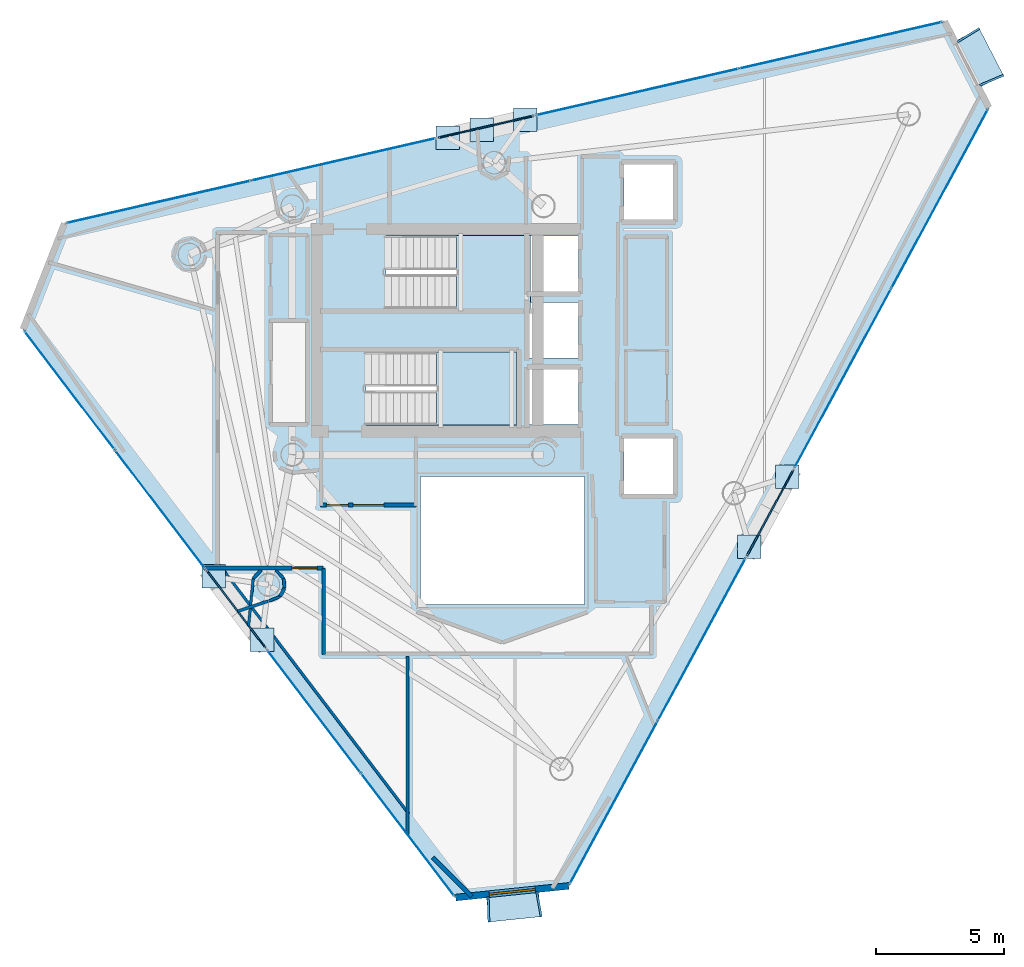
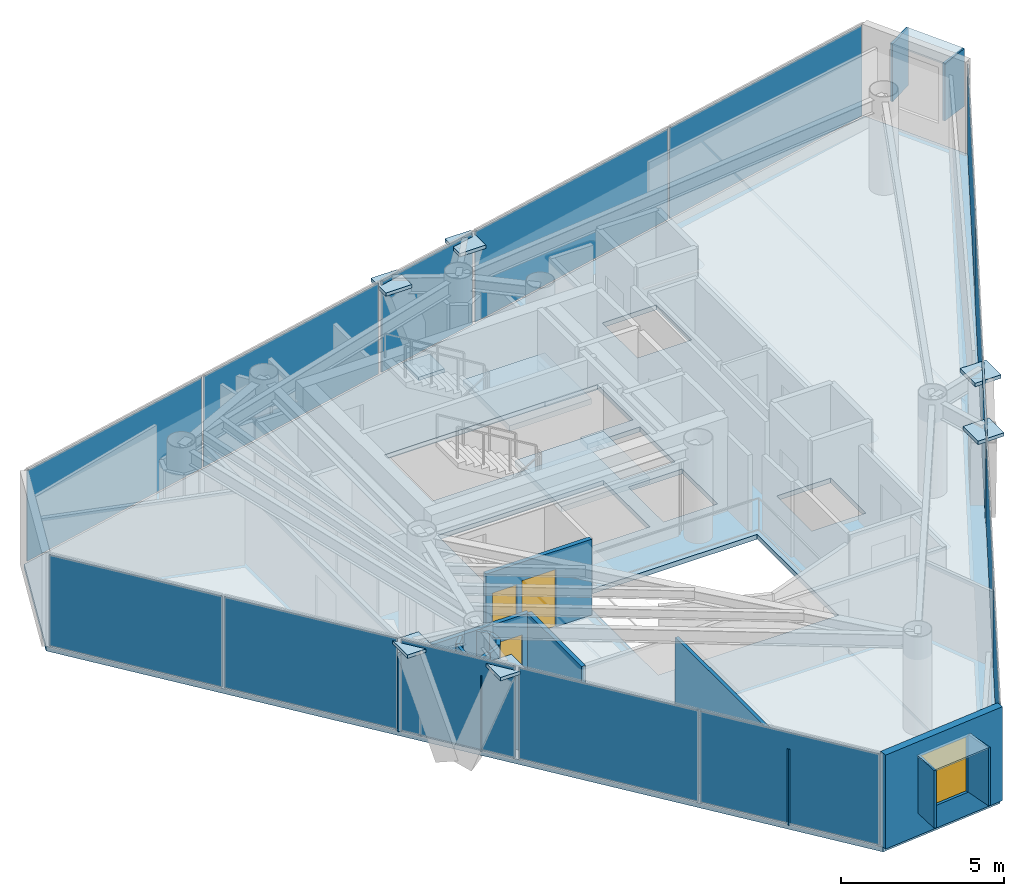
# One storey, part 18 of 24: 28 plates, 14 walls, 3 doors, 3 slabs, 1 window, 4 openings, 11 elements without a shape of their own.
"""IFC4 building model written with IfcOpenShell, lengths in metres."""

from ifc_helpers import new_model, si_unit, direction, frame, frame_2d, origin, origin_2d, place, context, subcontext, project, spatial, polyline, rectangle, outline, extrude, material, layer, layer_set, type_object, element, fill, aggregate, save


model = new_model("IFC4")

# Units and contexts
model_context = context("Model", 3, precision=1e-05, world=origin(), true_north=direction((0.0, 1.0)))
body_context = subcontext(model_context, "Body", "Model", "MODEL_VIEW")
ifc_project = project(units=[si_unit("LENGTHUNIT", "METRE"), si_unit("AREAUNIT", "SQUARE_METRE"), si_unit("VOLUMEUNIT", "CUBIC_METRE"), si_unit("PLANEANGLEUNIT", "RADIAN"), si_unit("MASSUNIT", "GRAM", prefix="KILO")], contexts=[model_context])

# Site, building, storey
site_placement = place(None, origin())
site = spatial("IfcSite", under=ifc_project, at=site_placement, CompositionType="ELEMENT")
building_placement = place(site_placement, origin())
building = spatial("IfcBuilding", under=site, at=building_placement, Name="Qianvela Tower", CompositionType="ELEMENT")
storey_placement = place(building_placement, frame((0.0, 0.0, 306.5)))
storey = spatial("IfcBuildingStorey", under=building, at=storey_placement, Name="L79", CompositionType="ELEMENT", Elevation=306.5)

# Curtain wall, plate
ifc_material_1 = material(Name="Anodised Architectural Aluminium and Insulated Spandrel Panel", Category="aluminium")
ifc_layer_1 = layer(ifc_material_1, 0.179931640625)
ifc_layer_set_1 = layer_set([ifc_layer_1], Name="Anodised Architectural Aluminium and Insulated Spandrel Panel")
curtain_wall_type_1 = type_object("IfcCurtainWallType", Name="CW-BRACEBAY", PredefinedType="USERDEFINED", material=ifc_layer_set_1)
curtain_wall_1_placement = place(storey_placement, origin())
curtain_wall_1 = element("IfcCurtainWall", 1, at=curtain_wall_1_placement, inside=storey, type_object=curtain_wall_type_1, Name="L79 CW-BRACEBAY Curtain Wall 02B", ObjectType="CURTAIN_WALL_SYSTEM", PredefinedType="USERDEFINED")
ifc_material_2 = material(Name="Insulated Aluminium Spandrel Panel with Mineral-Wool Backpan", Category="aluminium")
ifc_layer_2 = layer(ifc_material_2, 0.06005859375)
ifc_layer_set_2 = layer_set([ifc_layer_2], Name="Insulated Aluminium Spandrel Panel with Mineral-Wool Backpan")
plate_type_1 = type_object("IfcPlateType", Name="CW-BRACEBAY-PNL", PredefinedType="CURTAIN_PANEL", material=ifc_layer_set_2)
plate_1_placement = place(storey_placement, frame((36.150390625, 36.64208984375, 0.06494140625), z_axis=(0.0, 0.0, 1.0), x_axis=(-0.974654696361, -0.223714601358, 0.0)))
plate_1 = element("IfcPlate", 2, at=plate_1_placement, type_object=plate_type_1, Name="CW-9 panel 1.1", PredefinedType="CURTAIN_PANEL", context=body_context, shape_type="SweptSolid", body=[
    extrude(rectangle(XDim=3.800048828125, YDim=0.06005859375, at=origin_2d()), origin(), (0.0, 0.0, 1.0), 3.389892578125),
])
aggregate(curtain_wall_1, [plate_1])

curtain_wall_2_placement = place(storey_placement, origin())
curtain_wall_2 = element("IfcCurtainWall", 3, at=curtain_wall_2_placement, inside=storey, type_object=curtain_wall_type_1, Name="L79 CW-BRACEBAY Curtain Wall 04B", ObjectType="CURTAIN_WALL_SYSTEM", PredefinedType="USERDEFINED")
plate_2_placement = place(storey_placement, frame((26.410888671875, 17.820068359375, 0.06494140625), z_axis=(0.0, 0.0, 1.0), x_axis=(0.605708899745, -0.795686325614, 0.0)))
plate_2 = element("IfcPlate", 4, at=plate_2_placement, type_object=plate_type_1, Name="CW-9 panel 1.1", PredefinedType="CURTAIN_PANEL", context=body_context, shape_type="SweptSolid", body=[
    extrude(rectangle(XDim=3.800048828125, YDim=0.06005859375, at=origin_2d()), origin(), (0.0, 0.0, 1.0), 3.389892578125),
])
aggregate(curtain_wall_2, [plate_2])

curtain_wall_3_placement = place(storey_placement, origin())
curtain_wall_3 = element("IfcCurtainWall", 5, at=curtain_wall_3_placement, inside=storey, type_object=curtain_wall_type_1, Name="L79 CW-BRACEBAY Curtain Wall 06B", ObjectType="CURTAIN_WALL_SYSTEM", PredefinedType="USERDEFINED")
plate_3_placement = place(storey_placement, frame((47.245361328125, 21.58154296875, 0.06494140625), z_axis=(0.0, 0.0, 1.0), x_axis=(0.475144974563, 0.879907525338, 0.0)))
plate_3 = element("IfcPlate", 6, at=plate_3_placement, type_object=plate_type_1, Name="CW-9 panel 1.1", PredefinedType="CURTAIN_PANEL", context=body_context, shape_type="SweptSolid", body=[
    extrude(rectangle(XDim=3.800048828125, YDim=0.06005859375, at=origin_2d()), origin(), (0.0, 0.0, 1.0), 3.389892578125),
])
aggregate(curtain_wall_3, [plate_3])

# Curtain wall, plates
ifc_material_3 = material(Name="Anodised Architectural Aluminium and Low-E Glass", Category="aluminium")
ifc_layer_3 = layer(ifc_material_3, 0.14990234375)
ifc_layer_set_3 = layer_set([ifc_layer_3], Name="Anodised Architectural Aluminium and Low-E Glass")
curtain_wall_type_2 = type_object("IfcCurtainWallType", Name="CW-COLIV-Z78", PredefinedType="USERDEFINED", material=ifc_layer_set_3)
curtain_wall_4_placement = place(storey_placement, origin())
curtain_wall_4 = element("IfcCurtainWall", 7, at=curtain_wall_4_placement, inside=storey, type_object=curtain_wall_type_2, Name="L79 CW-COLIV-Z78 Curtain Wall 02A", ObjectType="CURTAIN_WALL_SYSTEM", PredefinedType="USERDEFINED")
ifc_material_4 = material(Name="Double-Silver Low-E Insulated Glass", Category="glass")
ifc_layer_4 = layer(ifc_material_4, 0.02587890625)
ifc_layer_set_4 = layer_set([ifc_layer_4], Name="Double-Silver Low-E Insulated Glass")
plate_type_2 = type_object("IfcPlateType", Name="CW-COLIV-Z78-PNL", PredefinedType="CURTAIN_PANEL", material=ifc_layer_set_4)
plate_4_placement = place(storey_placement, frame((50.002685546875, 39.821533203125, 0.06005859375), z_axis=(0.0, 0.0, 1.0), x_axis=(-0.974656772759, -0.22370555495, 0.0)))
plate_4 = element("IfcPlate", 8, at=plate_4_placement, type_object=plate_type_2, Name="CW-6 panel 1.1", PredefinedType="CURTAIN_PANEL", context=body_context, shape_type="SweptSolid", body=[
    extrude(rectangle(XDim=8.0849609375, YDim=0.02587890625, at=origin_2d()), origin(), (0.0, 0.0, 1.0), 3.39990234375),
])
plate_5_placement = place(storey_placement, frame((42.06396484375, 37.99951171875, 0.06005859375), z_axis=(0.0, 0.0, 1.0), x_axis=(-0.974656772759, -0.22370555495, 0.0)))
plate_5 = element("IfcPlate", 9, at=plate_5_placement, type_object=plate_type_2, Name="CW-6 panel 2.1", PredefinedType="CURTAIN_PANEL", context=body_context, shape_type="SweptSolid", body=[
    extrude(rectangle(XDim=8.0849609375, YDim=0.02587890625, at=origin_2d()), origin(), (0.0, 0.0, 1.0), 3.39990234375),
])
aggregate(curtain_wall_4, [plate_4, plate_5])

curtain_wall_5_placement = place(storey_placement, origin())
curtain_wall_5 = element("IfcCurtainWall", 10, at=curtain_wall_5_placement, inside=storey, type_object=curtain_wall_type_2, Name="L79 CW-COLIV-Z78 Curtain Wall 02C", ObjectType="CURTAIN_WALL_SYSTEM", PredefinedType="USERDEFINED")
plate_6_placement = place(storey_placement, frame((30.601318359375, 35.36865234375, 0.06005859375), z_axis=(0.0, 0.0, 1.0), x_axis=(-0.974655698628, -0.223710234751, 0.0)))
plate_6 = element("IfcPlate", 11, at=plate_6_placement, type_object=plate_type_2, Name="CW-6 panel 1.1", PredefinedType="CURTAIN_PANEL", context=body_context, shape_type="SweptSolid", body=[
    extrude(rectangle(XDim=7.336669921875, YDim=0.02587890625, at=origin_2d()), origin(), (0.0, 0.0, 1.0), 3.39990234375),
])
plate_7_placement = place(storey_placement, frame((23.39208984375, 33.7138671875, 0.06005859375), z_axis=(0.0, 0.0, 1.0), x_axis=(-0.974655698628, -0.223710234751, 0.0)))
plate_7 = element("IfcPlate", 12, at=plate_7_placement, type_object=plate_type_2, Name="CW-6 panel 2.1", PredefinedType="CURTAIN_PANEL", context=body_context, shape_type="SweptSolid", body=[
    extrude(rectangle(XDim=7.336669921875, YDim=0.02587890625, at=origin_2d()), origin(), (0.0, 0.0, 1.0), 3.39990234375),
])
aggregate(curtain_wall_5, [plate_6, plate_7])

curtain_wall_6_placement = place(storey_placement, origin())
curtain_wall_6 = element("IfcCurtainWall", 13, at=curtain_wall_6_placement, inside=storey, type_object=curtain_wall_type_2, Name="L79 CW-COLIV-Z78 Curtain Wall 04A", ObjectType="CURTAIN_WALL_SYSTEM", PredefinedType="USERDEFINED")
plate_8_placement = place(storey_placement, frame((19.91015625, 26.359619140625, 0.06005859375), z_axis=(0.0, 0.0, 1.0), x_axis=(0.605705590399, -0.795688844812, 0.0)))
plate_8 = element("IfcPlate", 14, at=plate_8_placement, type_object=plate_type_2, Name="CW-6 panel 1.1", PredefinedType="CURTAIN_PANEL", context=body_context, shape_type="SweptSolid", body=[
    extrude(rectangle(XDim=5.764892578125, YDim=0.02587890625, at=origin_2d()), origin(), (0.0, 0.0, 1.0), 3.39990234375),
])
plate_9_placement = place(storey_placement, frame((23.4384765625, 21.724853515625, 0.06005859375), z_axis=(0.0, 0.0, 1.0), x_axis=(0.605705590399, -0.795688844812, 0.0)))
plate_9 = element("IfcPlate", 15, at=plate_9_placement, type_object=plate_type_2, Name="CW-6 panel 2.1", PredefinedType="CURTAIN_PANEL", context=body_context, shape_type="SweptSolid", body=[
    extrude(rectangle(XDim=5.764892578125, YDim=0.02587890625, at=origin_2d()), origin(), (0.0, 0.0, 1.0), 3.39990234375),
])
aggregate(curtain_wall_6, [plate_8, plate_9])

curtain_wall_7_placement = place(storey_placement, origin())
curtain_wall_7 = element("IfcCurtainWall", 16, at=curtain_wall_7_placement, inside=storey, type_object=curtain_wall_type_2, Name="L79 CW-COLIV-Z78 Curtain Wall 04C", ObjectType="CURTAIN_WALL_SYSTEM", PredefinedType="USERDEFINED")
plate_10_placement = place(storey_placement, frame((29.4462890625, 13.83251953125, 0.06005859375), z_axis=(0.0, 0.0, 1.0), x_axis=(0.605708479986, -0.795686645152, 0.0)))
plate_10 = element("IfcPlate", 17, at=plate_10_placement, type_object=plate_type_2, Name="CW-6 panel 1.1", PredefinedType="CURTAIN_PANEL", context=body_context, shape_type="SweptSolid", body=[
    extrude(rectangle(XDim=5.97314453125, YDim=0.02587890625, at=origin_2d()), origin(), (0.0, 0.0, 1.0), 3.39990234375),
])
plate_11_placement = place(storey_placement, frame((33.1005859375, 9.031982421875, 0.06005859375), z_axis=(0.0, 0.0, 1.0), x_axis=(0.605708479986, -0.795686645152, 0.0)))
plate_11 = element("IfcPlate", 18, at=plate_11_placement, type_object=plate_type_2, Name="CW-6 panel 2.1", PredefinedType="CURTAIN_PANEL", context=body_context, shape_type="SweptSolid", body=[
    extrude(rectangle(XDim=5.97314453125, YDim=0.02587890625, at=origin_2d()), origin(), (0.0, 0.0, 1.0), 3.39990234375),
])
aggregate(curtain_wall_7, [plate_10, plate_11])

curtain_wall_8_placement = place(storey_placement, origin())
curtain_wall_8 = element("IfcCurtainWall", 19, at=curtain_wall_8_placement, inside=storey, type_object=curtain_wall_type_2, Name="L79 CW-COLIV-Z78 Curtain Wall 06A", ObjectType="CURTAIN_WALL_SYSTEM", PredefinedType="USERDEFINED")
plate_12_placement = place(storey_placement, frame((41.14111328125, 10.276611328125, 0.06005859375), z_axis=(0.0, 0.0, 1.0), x_axis=(0.475113639568, 0.879924445334, 0.0)))
plate_12 = element("IfcPlate", 20, at=plate_12_placement, type_object=plate_type_2, Name="CW-6 panel 1.1", PredefinedType="CURTAIN_PANEL", context=body_context, shape_type="SweptSolid", body=[
    extrude(rectangle(XDim=7.175048828125, YDim=0.02587890625, at=origin_2d()), origin(), (0.0, 0.0, 1.0), 3.39990234375),
])
plate_13_placement = place(storey_placement, frame((44.57861328125, 16.64306640625, 0.06005859375), z_axis=(0.0, 0.0, 1.0), x_axis=(0.475113639568, 0.879924445334, 0.0)))
plate_13 = element("IfcPlate", 21, at=plate_13_placement, type_object=plate_type_2, Name="CW-6 panel 2.1", PredefinedType="CURTAIN_PANEL", context=body_context, shape_type="SweptSolid", body=[
    extrude(rectangle(XDim=7.175048828125, YDim=0.02587890625, at=origin_2d()), origin(), (0.0, 0.0, 1.0), 3.39990234375),
])
aggregate(curtain_wall_8, [plate_12, plate_13])

curtain_wall_9_placement = place(storey_placement, origin())
curtain_wall_9 = element("IfcCurtainWall", 22, at=curtain_wall_9_placement, inside=storey, type_object=curtain_wall_type_2, Name="L79 CW-COLIV-Z78 Curtain Wall 06C", ObjectType="CURTAIN_WALL_SYSTEM", PredefinedType="USERDEFINED")
plate_14_placement = place(storey_placement, frame((50.08056640625, 26.83251953125, 0.06005859375), z_axis=(0.0, 0.0, 1.0), x_axis=(0.475113772488, 0.879924373564, 0.0)))
plate_14 = element("IfcPlate", 23, at=plate_14_placement, type_object=plate_type_2, Name="CW-6 panel 1.1", PredefinedType="CURTAIN_PANEL", context=body_context, shape_type="SweptSolid", body=[
    extrude(rectangle(XDim=7.885498046875, YDim=0.02587890625, at=origin_2d()), origin(), (0.0, 0.0, 1.0), 3.39990234375),
])
plate_15_placement = place(storey_placement, frame((53.855712890625, 33.823974609375, 0.06005859375), z_axis=(0.0, 0.0, 1.0), x_axis=(0.475113772488, 0.879924373564, 0.0)))
plate_15 = element("IfcPlate", 24, at=plate_15_placement, type_object=plate_type_2, Name="CW-6 panel 2.1", PredefinedType="CURTAIN_PANEL", context=body_context, shape_type="SweptSolid", body=[
    extrude(rectangle(XDim=7.885498046875, YDim=0.02587890625, at=origin_2d()), origin(), (0.0, 0.0, 1.0), 3.39990234375),
])
aggregate(curtain_wall_9, [plate_14, plate_15])

# Plates
ifc_material_5 = material(Name="Steel Q420GJC", Category="steel")
ifc_layer_5 = layer(ifc_material_5, 0.1298828125)
ifc_layer_set_5 = layer_set([ifc_layer_5], Name="Steel Q420GJC")
plate_type_3 = type_object("IfcPlateType", Name="PT-ENDCAP-130", PredefinedType="USERDEFINED", material=ifc_layer_set_5)
for number, where, z_axis, x_axis, name in (
    (25, (37.685546875, 36.912353515625, 3.209716796875), (0.0, 0.0, 1.0), (1.0, 0.0, 0.0), "L79 Hollow Section End Cap Plate B"),
    (26, (36.00048828125, 36.525634765625, -0.603271484375), (0.0, 0.0, 1.0), (1.0, 0.0, 0.0), "L79 Hollow Section End Cap Plate A"),
    (27, (34.658935546875, 36.2177734375, 3.20947265625), (0.0, 0.0, 1.0), (1.0, 0.0, 0.0), "L79 Hollow Section End Cap Plate B"),
    (28, (25.53662109375, 19.100830078125, 3.209716796875), (0.0, 0.0, 1.0), (1.0, 0.0, 0.0), "L79 Hollow Section End Cap Plate B"),
    (29, (27.41748046875, 16.6298828125, 3.20947265625), (0.0, 0.0, 1.0), (1.0, 0.0, 0.0), "L79 Hollow Section End Cap Plate B"),
    (30, (46.43798828125, 20.2548828125, 3.209716796875), (0.0, 0.0, 1.0), (1.0, 0.0, 0.0), "L79 Hollow Section End Cap Plate B"),
    (31, (47.913330078125, 22.9873046875, 3.20947265625), (0.0, 0.0, 1.0), (1.0, 0.0, 0.0), "L79 Hollow Section End Cap Plate B"),
):
    element("IfcPlate", number, at=place(storey_placement, frame(where, z_axis=z_axis, x_axis=x_axis)), inside=storey, type_object=plate_type_3, Name=name, ObjectType="END_CAP", PredefinedType="USERDEFINED", context=body_context, shape_type="SweptSolid", body=[
        extrude(rectangle(XDim=0.919921875, YDim=0.919921875, at=origin_2d()), origin(), (0.0, 0.0, 1.0), 0.1298828125),
    ])

# Slab
ifc_material_6 = material(Name="Concrete C40", Category="concrete")
ifc_layer_6 = layer(ifc_material_6, 0.179931640625)
ifc_layer_set_6 = layer_set([ifc_layer_6], Name="Concrete C40")
slab_type_1 = type_object("IfcSlabType", Name="SL-FLOOR-180", PredefinedType="FLOOR", material=ifc_layer_set_6)
slab_1_placement = place(storey_placement, frame((0.0, 0.0, -0.179931640625)))
element("IfcSlab", 32, at=slab_1_placement, inside=storey, type_object=slab_type_1, Name="L79 Composite Structural Floor Slab", PredefinedType="FLOOR", context=body_context, shape_type="SweptSolid", body=[
    extrude(outline(polyline([(55.78125, 37.39013671875), (54.0498046875, 40.75048828125), (19.709716796875, 32.86865234375), (18.09765625, 28.74072265625), (34.976318359375, 6.568115234375), (39.384521484375, 7.023193359375), (55.78125, 37.39013671875)]), holes=[polyline([(40.0, 23.0), (33.60009765625, 23.0), (33.60009765625, 18.0), (40.0, 18.0), (40.0, 23.0)]), polyline([(43.4599609375, 24.47998046875), (41.5400390625, 24.47998046875), (41.5400390625, 22.320068359375), (43.4599609375, 22.320068359375), (43.4599609375, 24.47998046875)]), polyline([(39.760009765625, 27.179931640625), (37.840087890625, 27.179931640625), (37.840087890625, 25.02001953125), (39.760009765625, 25.02001953125), (39.760009765625, 27.179931640625)]), polyline([(37.35009765625, 27.860107421875), (31.469970703125, 27.860107421875), (31.469970703125, 25.0), (37.35009765625, 25.0), (37.35009765625, 27.860107421875)]), polyline([(39.760009765625, 27.6201171875), (39.760009765625, 29.780029296875), (37.89990234375, 29.780029296875), (37.89990234375, 30.219970703125), (39.760009765625, 30.219970703125), (39.760009765625, 32.3798828125), (37.89990234375, 32.3798828125), (37.89990234375, 32.39990234375), (32.25, 32.39990234375), (32.25, 29.5400390625), (37.840087890625, 29.5400390625), (37.840087890625, 27.6201171875), (39.760009765625, 27.6201171875)]), polyline([(43.4599609375, 35.179931640625), (41.5400390625, 35.179931640625), (41.5400390625, 33.02001953125), (43.4599609375, 33.02001953125), (43.4599609375, 35.179931640625)])]), origin(), (0.0, 0.0, 1.0), 0.179931640625),
])

# Stair, slab
ifc_material_7 = material(Name="Concrete C40", Category="concrete")
stair_type = type_object("IfcStairType", Name="ST-DOGLEG-1350-R168-N22", PredefinedType="HALF_TURN_STAIR", material=ifc_material_7)
stair_1_placement = place(storey_placement, origin())
stair_1 = element("IfcStair", 33, at=stair_1_placement, inside=storey, type_object=stair_type, Name="L79 Smoke-Proof Core Stair ST-1", PredefinedType="HALF_TURN_STAIR")
ifc_material_8 = material(Name="Concrete C40", Category="concrete")
ifc_layer_7 = layer(ifc_material_8, 0.199951171875)
ifc_layer_set_7 = layer_set([ifc_layer_7], Name="Concrete C40")
slab_type_2 = type_object("IfcSlabType", Name="SL-STAIR-LANDING-200", PredefinedType="LANDING", material=ifc_layer_set_7)
slab_2_placement = place(storey_placement, frame((0.0, 0.0, 1.64990234375)))
slab_2 = element("IfcSlab", 34, at=slab_2_placement, type_object=slab_type_2, Name="ST-1 landing 1", PredefinedType="LANDING", context=body_context, shape_type="SweptSolid", body=[
    extrude(outline(polyline([(35.0, 29.5400390625), (37.89990234375, 29.5400390625), (37.89990234375, 32.39990234375), (35.0, 32.39990234375), (35.0, 29.5400390625)])), origin(), (0.0, 0.0, 1.0), 0.2001953125),
])
aggregate(stair_1, [slab_2])

stair_2_placement = place(storey_placement, origin())
stair_2 = element("IfcStair", 35, at=stair_2_placement, inside=storey, type_object=stair_type, Name="L79 Smoke-Proof Core Stair ST-2", PredefinedType="HALF_TURN_STAIR")
slab_3_placement = place(storey_placement, frame((0.0, 0.0, 1.64990234375)))
slab_3 = element("IfcSlab", 36, at=slab_3_placement, type_object=slab_type_2, Name="ST-2 landing 1", PredefinedType="LANDING", context=body_context, shape_type="SweptSolid", body=[
    extrude(outline(polyline([(34.219970703125, 25.0), (37.35009765625, 25.0), (37.35009765625, 27.860107421875), (34.219970703125, 27.860107421875), (34.219970703125, 25.0)])), origin(), (0.0, 0.0, 1.0), 0.2001953125),
])
aggregate(stair_2, [slab_3])

# Plates
ifc_material_9 = material(Name="Vitrified Architectural Terracotta Panel", Category="masonry")
ifc_layer_8 = layer(ifc_material_9, 0.074951171875)
ifc_layer_set_8 = layer_set([ifc_layer_8], Name="Vitrified Architectural Terracotta Panel")
plate_type_4 = type_object("IfcPlateType", Name="TERRACOTTA-SUNSHADE-HOOD-FOLD-D", PredefinedType="USERDEFINED", material=ifc_layer_set_8)
for number, where, z_axis, x_axis, name in (
    (37, (55.435546875, 39.33837890625, 2.9599609375), (0.0, 0.0, 1.0), (-0.457984077162, 0.888960395668, 0.0), "L79 Terracotta Sunshade Hood FOLD-D"),
    (38, (37.240478515625, 6.213623046875, 2.9599609375), (0.0, 0.0, 1.0), (0.994712859148, 0.102695315597, 0.0), "L79 Terracotta Sunshade Hood FOLD-D"),
):
    element("IfcPlate", number, at=place(storey_placement, frame(where, z_axis=z_axis, x_axis=x_axis)), inside=storey, type_object=plate_type_4, Name=name, ObjectType="SUNSHADE", PredefinedType="USERDEFINED", context=body_context, shape_type="SweptSolid", body=[
        extrude(rectangle(XDim=2.0400390625, YDim=0.989990234375, at=origin_2d()), origin(), (0.0, 0.0, 1.0), 0.06005859375),
    ])
ifc_material_10 = material(Name="Vitrified Architectural Terracotta Side Fin Panel", Category="masonry")
ifc_layer_9 = layer(ifc_material_10, 0.080078125)
ifc_layer_set_9 = layer_set([ifc_layer_9], Name="Vitrified Architectural Terracotta Side Fin Panel")
plate_type_5 = type_object("IfcPlateType", Name="TERRACOTTA-SUNSHADE-STRUT-FOLD-D", PredefinedType="USERDEFINED", material=ifc_layer_set_9)
for number, where, z_axis, x_axis, name in (
    (39, (55.888916015625, 38.458251953125, 0.85009765625), (0.0, 0.0, 1.0), (-0.390845192956, 0.920456427618, 0.0), "L79 Terracotta Sunshade Side Fin HL FOLD-D"),
    (40, (54.982177734375, 40.21826171875, 0.85009765625), (0.0, 0.0, 1.0), (-0.522604218489, 0.852575410634, 0.0), "L79 Terracotta Sunshade Side Fin HR FOLD-D"),
    (41, (36.255615234375, 6.112060546875, 0.85009765625), (0.0, 0.0, 1.0), (0.999588177695, 0.028696254318, 0.0), "L79 Terracotta Sunshade Side Fin HL FOLD-D"),
    (42, (38.22509765625, 6.3154296875, 0.85009765625), (0.0, 0.0, 1.0), (0.984366988117, 0.176129590657, 0.0), "L79 Terracotta Sunshade Side Fin HR FOLD-D"),
):
    element("IfcPlate", number, at=place(storey_placement, frame(where, z_axis=z_axis, x_axis=x_axis)), inside=storey, type_object=plate_type_5, Name=name, ObjectType="SUNSHADE", PredefinedType="USERDEFINED", context=body_context, shape_type="SweptSolid", body=[
        extrude(rectangle(XDim=0.080078125, YDim=1.010009765625, at=origin_2d()), origin(), (0.0, 0.0, 1.0), 2.159912109375),
    ])

# Wall, opening, window
ifc_material_11 = material(Name="Terracotta Cladding on Concrete C40", Category="masonry")
ifc_layer_10 = layer(ifc_material_11, 0.260009765625)
ifc_layer_set_10 = layer_set([ifc_layer_10], Name="Terracotta Cladding on Concrete C40")
wall_type_1 = type_object("IfcWallType", Name="TERRACOTTA-WALL-260", PredefinedType="SOLIDWALL", material=ifc_layer_set_10)
wall_1_placement = place(storey_placement, frame((34.976318359375, 6.568115234375, 0.0), z_axis=(0.0, 0.0, 1.0), x_axis=(0.99471354849, 0.102688638369, 0.0)))
wall_1 = element("IfcWall", 43, at=wall_1_placement, inside=storey, type_object=wall_type_1, Name="L79 Terracotta Chamfer Facet Wall 5", PredefinedType="SOLIDWALL", context=body_context, shape_type="SweptSolid", body=[
    extrude(rectangle(XDim=4.431640625, YDim=0.260009765625, at=frame_2d((2.2158203125, 0.0))), origin(), (0.0, 0.0, 1.0), 3.52001953125),
])
opening_1_placement = place(wall_1_placement, frame((1.31591796875, 0.0, 0.85009765625)))
opening_1 = element("IfcOpeningElement", 44, at=opening_1_placement, cuts=wall_1, Name="Opening W-01", PredefinedType="OPENING", context=body_context, shape_type="SweptSolid", body=[
    extrude(rectangle(XDim=1.800048828125, YDim=2.10009765625, at=frame_2d((0.89990234375, 1.050048828125))), frame((0.0, 0.139892578125, 0.0), z_axis=(0.0, -1.0, 0.0), x_axis=(1.0, 0.0, 0.0)), (0.0, 0.0, 1.0), 0.280029296875),
])
ifc_material_12 = material(Name="Thermally Broken Aluminium and Low-E Glass", Category="aluminium")
window_type = type_object("IfcWindowType", Name="WIN-TC-1800x2100", PartitioningType="DOUBLE_PANEL_VERTICAL", PredefinedType="WINDOW", material=ifc_material_12)
window_placement = place(opening_1_placement, origin())
window = element("IfcWindow", 45, at=window_placement, inside=storey, type_object=window_type, Name="L79 Chamfer Facet Window 5.1", OverallHeight=2.10009765625, OverallWidth=1.800048828125, PartitioningType="SINGLE_PANEL", PredefinedType="WINDOW", context=body_context, shape_type="SweptSolid", body=[
    extrude(rectangle(XDim=1.800048828125, YDim=2.10009765625, at=frame_2d((0.89990234375, 1.050048828125))), frame((0.0, 0.030029296875, 0.0), z_axis=(0.0, -1.0, 0.0), x_axis=(1.0, 0.0, 0.0)), (0.0, 0.0, 1.0), 0.06005859375),
])
fill(opening_1, window)

# Wall, openings, doors
ifc_material_13 = material(Name="Fire-Rated Acoustic Gypsum Board")
ifc_layer_11 = layer(ifc_material_13, 0.14990234375)
ifc_layer_set_11 = layer_set([ifc_layer_11], Name="Fire-Rated Acoustic Gypsum Board")
wall_type_2 = type_object("IfcWallType", Name="WT-CORR-150", PredefinedType="PARTITIONING", material=ifc_layer_set_11)
wall_2_placement = place(storey_placement, frame((33.449951171875, 21.881103515625, 0.0), z_axis=(0.0, 0.0, 1.0), x_axis=(-1.0, 0.0, 0.0)))
wall_2 = element("IfcWall", 46, at=wall_2_placement, inside=storey, type_object=wall_type_2, Name="L79 Partition 5", PredefinedType="PARTITIONING", context=body_context, shape_type="SweptSolid", body=[
    extrude(rectangle(XDim=3.75, YDim=0.14990234375, at=frame_2d((1.875, 0.0))), origin(), (0.0, 0.0, 1.0), 2.840087890625),
])
opening_2_placement = place(wall_2_placement, frame((1.27490234375, 0.0, 0.0)))
opening_2 = element("IfcOpeningElement", 47, at=opening_2_placement, cuts=wall_2, Name="Opening D-LB1", PredefinedType="OPENING", context=body_context, shape_type="SweptSolid", body=[
    extrude(rectangle(XDim=1.199951171875, YDim=2.14990234375, at=frame_2d((0.60009765625, 1.074951171875))), frame((0.0, 0.0849609375, 0.0), z_axis=(0.0, -1.0, 0.0), x_axis=(1.0, 0.0, 0.0)), (0.0, 0.0, 1.0), 0.169921875),
])
opening_3_placement = place(wall_2_placement, frame((2.659912109375, 0.0, 0.0)))
opening_3 = element("IfcOpeningElement", 48, at=opening_3_placement, cuts=wall_2, Name="Opening D-LB2", PredefinedType="OPENING", context=body_context, shape_type="SweptSolid", body=[
    extrude(rectangle(XDim=0.860107421875, YDim=2.050048828125, at=frame_2d((0.43017578125, 1.02490234375))), frame((0.0, 0.0849609375, 0.0), z_axis=(0.0, -1.0, 0.0), x_axis=(1.0, 0.0, 0.0)), (0.0, 0.0, 1.0), 0.169921875),
])
ifc_material_14 = material(Name="Glazed Fire-Rated Steel Frame", Category="steel")
door_type_1 = type_object("IfcDoorType", Name="DT-LOBBY-FD90", OperationType="NOTDEFINED", PredefinedType="DOOR", material=ifc_material_14)
door_1_placement = place(opening_2_placement, origin())
door_1 = element("IfcDoor", 49, at=door_1_placement, inside=storey, type_object=door_type_1, Name="L79 Door L79 Firefighting Lobby South to L79 Floor Corridor", OperationType="SINGLE_SWING_LEFT", OverallHeight=2.14990234375, OverallWidth=1.199951171875, PredefinedType="DOOR", context=body_context, shape_type="SweptSolid", body=[
    extrude(rectangle(XDim=1.199951171875, YDim=2.14990234375, at=frame_2d((0.60009765625, 1.074951171875))), frame((0.0, 0.02490234375, 0.0), z_axis=(0.0, -1.0, 0.0), x_axis=(1.0, 0.0, 0.0)), (0.0, 0.0, 1.0), 0.050048828125),
])
fill(opening_2, door_1)
ifc_material_15 = material(Name="Insulated Steel Fire Door Q355B", Category="steel")
door_type_2 = type_object("IfcDoorType", Name="DT-LOBBY-FD90-860", OperationType="NOTDEFINED", PredefinedType="DOOR", material=ifc_material_15)
door_2_placement = place(opening_3_placement, origin())
door_2 = element("IfcDoor", 50, at=door_2_placement, inside=storey, type_object=door_type_2, Name="L79 Door L79 Firefighting Lobby South to L79 Floor Corridor", OperationType="SINGLE_SWING_LEFT", OverallHeight=2.050048828125, OverallWidth=0.860107421875, PredefinedType="DOOR", context=body_context, shape_type="SweptSolid", body=[
    extrude(rectangle(XDim=0.860107421875, YDim=2.050048828125, at=frame_2d((0.43017578125, 1.02490234375))), frame((0.0, 0.02490234375, 0.0), z_axis=(0.0, -1.0, 0.0), x_axis=(1.0, 0.0, 0.0)), (0.0, 0.0, 1.0), 0.050048828125),
])
fill(opening_3, door_2)

# Wall
wall_3_placement = place(storey_placement, frame((29.8310546875, 16.050048828125, 0.0), z_axis=(0.0, 0.0, 1.0), x_axis=(0.0, 1.0, 0.0)))
element("IfcWall", 51, at=wall_3_placement, inside=storey, type_object=wall_type_2, Name="L79 Partition 74", PredefinedType="PARTITIONING", context=body_context, shape_type="SweptSolid", body=[
    extrude(rectangle(XDim=3.349853515625, YDim=0.14990234375, at=frame_2d((1.6748046875, 0.0))), origin(), (0.0, 0.0, 1.0), 2.840087890625),
])

# Wall, opening, door
wall_4_placement = place(storey_placement, frame((29.800048828125, 19.430908203125, 0.0), z_axis=(0.0, 0.0, 1.0), x_axis=(-1.0, 0.0, 0.0)))
wall_4 = element("IfcWall", 52, at=wall_4_placement, inside=storey, type_object=wall_type_2, Name="L79 Partition 75", PredefinedType="PARTITIONING", context=body_context, shape_type="SweptSolid", body=[
    extrude(rectangle(XDim=4.635498046875, YDim=0.14990234375, at=frame_2d((2.31787109375, 0.0))), origin(), (0.0, 0.0, 1.0), 2.840087890625),
])
opening_4_placement = place(wall_4_placement, frame((0.22998046875, 0.0, 0.0)))
opening_4 = element("IfcOpeningElement", 53, at=opening_4_placement, cuts=wall_4, Name="Opening D-RM1", PredefinedType="OPENING", context=body_context, shape_type="SweptSolid", body=[
    extrude(rectangle(XDim=0.97998046875, YDim=2.10009765625, at=frame_2d((0.489990234375, 1.050048828125))), frame((0.0, 0.0849609375, 0.0), z_axis=(0.0, -1.0, 0.0), x_axis=(1.0, 0.0, 0.0)), (0.0, 0.0, 1.0), 0.169921875),
])
ifc_material_16 = material(Name="Solid Core Acoustic Timber Fire Door", Category="wood")
door_type_3 = type_object("IfcDoorType", Name="DT-ROOM-FD60", OperationType="NOTDEFINED", PredefinedType="DOOR", material=ifc_material_16)
door_3_placement = place(opening_4_placement, origin())
door_3 = element("IfcDoor", 54, at=door_3_placement, inside=storey, type_object=door_type_3, Name="L79 Door Graduate Seminar Classroom L79-01 to L79 Floor Corridor", OperationType="SINGLE_SWING_RIGHT", OverallHeight=2.10009765625, OverallWidth=0.97998046875, PredefinedType="DOOR", context=body_context, shape_type="SweptSolid", body=[
    extrude(rectangle(XDim=0.97998046875, YDim=2.10009765625, at=frame_2d((0.489990234375, 1.050048828125))), frame((0.0, 0.02490234375, 0.0), z_axis=(0.0, -1.0, 0.0), x_axis=(1.0, 0.0, 0.0)), (0.0, 0.0, 1.0), 0.050048828125),
])
fill(opening_4, door_3)

# Walls
ifc_material_17 = material(Name="Lightweight Gypsum Room Partition")
ifc_layer_12 = layer(ifc_material_17, 0.10498046875)
ifc_layer_set_12 = layer_set([ifc_layer_12], Name="Lightweight Gypsum Room Partition")
wall_type_3 = type_object("IfcWallType", Name="WT-PART-105", PredefinedType="PARTITIONING", material=ifc_layer_set_12)
wall_5_placement = place(storey_placement, frame((33.14892578125, 9.837158203125, 0.0), z_axis=(0.0, 0.0, 1.0), x_axis=(-0.605712382607, 0.795683674306, 0.0)))
element("IfcWall", 55, at=wall_5_placement, inside=storey, type_object=wall_type_3, Name="L79 Partition 78", PredefinedType="PARTITIONING", context=body_context, shape_type="SweptSolid", body=[
    extrude(rectangle(XDim=11.941650390625, YDim=0.10498046875, at=frame_2d((5.970703125, 0.0))), origin(), (0.0, 0.0, 1.0), 2.840087890625),
])
wall_6_placement = place(storey_placement, frame((27.07568359375, 19.010498046875, 0.0), z_axis=(0.0, 0.0, 1.0), x_axis=(-0.0979929155, -0.995187112312, 0.0)))
element("IfcWall", 56, at=wall_6_placement, inside=storey, type_object=wall_type_3, Name="L79 Partition 81", PredefinedType="PARTITIONING", context=body_context, shape_type="SweptSolid", body=[
    extrude(rectangle(XDim=1.856201171875, YDim=0.10498046875, at=frame_2d((0.92822265625, 0.0))), origin(), (0.0, 0.0, 1.0), 2.840087890625),
])
wall_7_placement = place(storey_placement, frame((27.681884765625, 18.135498046875, 0.0), z_axis=(0.0, 0.0, 1.0), x_axis=(0.924048683901, 0.382274809242, 0.0)))
element("IfcWall", 57, at=wall_7_placement, inside=storey, type_object=wall_type_3, Name="L79 Partition 84 seg 1", PredefinedType="PARTITIONING", context=body_context, shape_type="SweptSolid", body=[
    extrude(rectangle(XDim=0.466796875, YDim=0.10498046875, at=frame_2d((0.2333984375, 0.0))), origin(), (0.0, 0.0, 1.0), 2.840087890625),
])
wall_8_placement = place(storey_placement, frame((28.256103515625, 19.02880859375, 0.0), z_axis=(0.0, 0.0, 1.0), x_axis=(-0.689344198757, 0.724433969137, 0.0)))
element("IfcWall", 58, at=wall_8_placement, inside=storey, type_object=wall_type_3, Name="L79 Partition 87", PredefinedType="PARTITIONING", context=body_context, shape_type="SweptSolid", body=[
    extrude(rectangle(XDim=0.431396484375, YDim=0.10498046875, at=frame_2d((0.2158203125, 0.0))), origin(), (0.0, 0.0, 1.0), 2.840087890625),
])
ifc_material_18 = material(Name="Insulated Gypsum Stud Partition")
ifc_layer_13 = layer(ifc_material_18, 0.1201171875)
ifc_layer_set_13 = layer_set([ifc_layer_13], Name="Insulated Gypsum Stud Partition")
wall_type_4 = type_object("IfcWallType", Name="WT-PART-120", PredefinedType="PARTITIONING", material=ifc_layer_set_13)
wall_9_placement = place(storey_placement, frame((33.09326171875, 15.969970703125, 0.0), z_axis=(0.0, 0.0, 1.0), x_axis=(0.0, -1.0, 0.0)))
element("IfcWall", 59, at=wall_9_placement, inside=storey, type_object=wall_type_4, Name="L79 Partition 77", PredefinedType="PARTITIONING", context=body_context, shape_type="SweptSolid", body=[
    extrude(rectangle(XDim=6.9482421875, YDim=0.1201171875, at=frame_2d((3.47412109375, 0.0))), origin(), (0.0, 0.0, 1.0), 2.840087890625),
])
wall_10_placement = place(storey_placement, frame((27.381103515625, 19.34130859375, 0.0), z_axis=(0.0, 0.0, 1.0), x_axis=(-0.689047004353, -0.724716652073, 0.0)))
element("IfcWall", 60, at=wall_10_placement, inside=storey, type_object=wall_type_4, Name="L79 Partition 80", PredefinedType="PARTITIONING", context=body_context, shape_type="SweptSolid", body=[
    extrude(rectangle(XDim=0.43115234375, YDim=0.1201171875, at=frame_2d((0.215576171875, 0.0))), origin(), (0.0, 0.0, 1.0), 2.840087890625),
])
wall_11_placement = place(storey_placement, frame((26.47216796875, 17.739501953125, 0.0), z_axis=(0.0, 0.0, 1.0), x_axis=(0.948526981909, 0.316696328665, 0.0)))
element("IfcWall", 61, at=wall_11_placement, inside=storey, type_object=wall_type_4, Name="L79 Partition 83", PredefinedType="PARTITIONING", context=body_context, shape_type="SweptSolid", body=[
    extrude(rectangle(XDim=1.25048828125, YDim=0.1201171875, at=frame_2d((0.625244140625, 0.0))), origin(), (0.0, 0.0, 1.0), 2.840087890625),
])
wall_12_placement = place(storey_placement, frame((28.299072265625, 18.657958984375, 0.0), z_axis=(0.0, 0.0, 1.0), x_axis=(-0.097865889817, 0.995199611942, 0.0)))
element("IfcWall", 62, at=wall_12_placement, inside=storey, type_object=wall_type_4, Name="L79 Partition 86", PredefinedType="PARTITIONING", context=body_context, shape_type="SweptSolid", body=[
    extrude(rectangle(XDim=0.354248046875, YDim=0.1201171875, at=frame_2d((0.17724609375, 0.0))), origin(), (0.0, 0.0, 1.0), 2.840087890625),
])
ifc_material_19 = material(Name="Sanitary Service Chase Partition")
ifc_layer_14 = layer(ifc_material_19, 0.1650390625)
ifc_layer_set_14 = layer_set([ifc_layer_14], Name="Sanitary Service Chase Partition")
wall_type_5 = type_object("IfcWallType", Name="WT-PLUMB-165", PredefinedType="PLUMBINGWALL", material=ifc_layer_set_14)
wall_13_placement = place(storey_placement, frame((35.601318359375, 6.615478515625, 0.0), z_axis=(0.0, 0.0, 1.0), x_axis=(-0.706423586707, 0.707789316212, 0.0)))
element("IfcWall", 63, at=wall_13_placement, inside=storey, type_object=wall_type_5, Name="L79 Partition 138 seg 1", PredefinedType="PLUMBINGWALL", context=body_context, shape_type="SweptSolid", body=[
    extrude(rectangle(XDim=2.145263671875, YDim=0.1650390625, at=frame_2d((1.07275390625, 0.0))), origin(), (0.0, 0.0, 1.0), 2.840087890625),
])
ifc_material_20 = material(Name="Acoustic Double Gypsum Stud Partition")
ifc_layer_15 = layer(ifc_material_20, 0.139892578125)
ifc_layer_set_15 = layer_set([ifc_layer_15], Name="Acoustic Double Gypsum Stud Partition")
wall_type_6 = type_object("IfcWallType", Name="WT-ROOM-140", PredefinedType="PARTITIONING", material=ifc_layer_set_15)
wall_14_placement = place(storey_placement, frame((28.128662109375, 18.328125, 0.0), z_axis=(0.0, 0.0, 1.0), x_axis=(0.471589913721, 0.881817981942, 0.0)))
element("IfcWall", 64, at=wall_14_placement, inside=storey, type_object=wall_type_6, Name="L79 Partition 85", PredefinedType="PARTITIONING", context=body_context, shape_type="SweptSolid", body=[
    extrude(rectangle(XDim=0.35400390625, YDim=0.139892578125, at=frame_2d((0.177001953125, 0.0))), origin(), (0.0, 0.0, 1.0), 2.840087890625),
])

save(model, "model.ifc")
